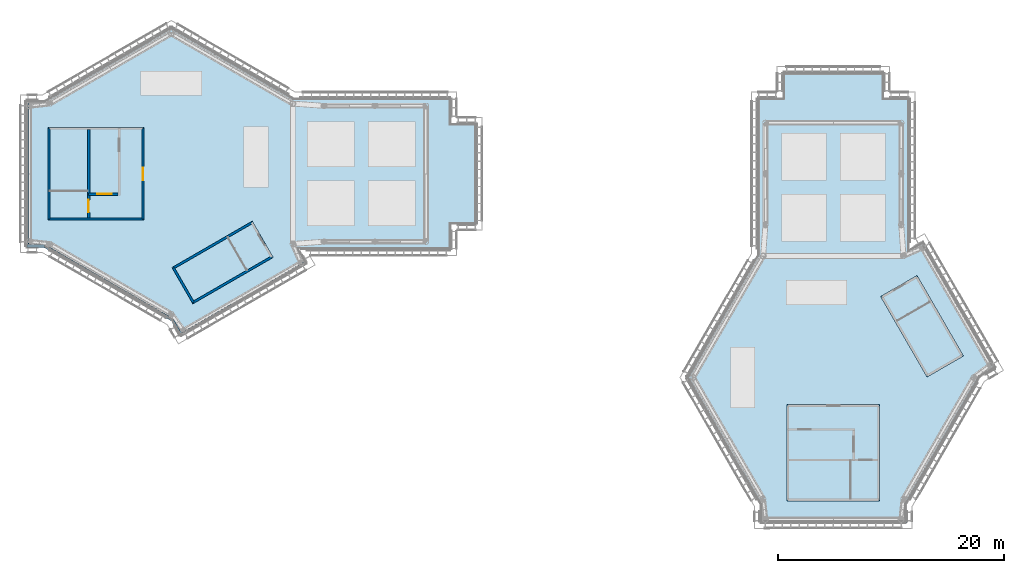
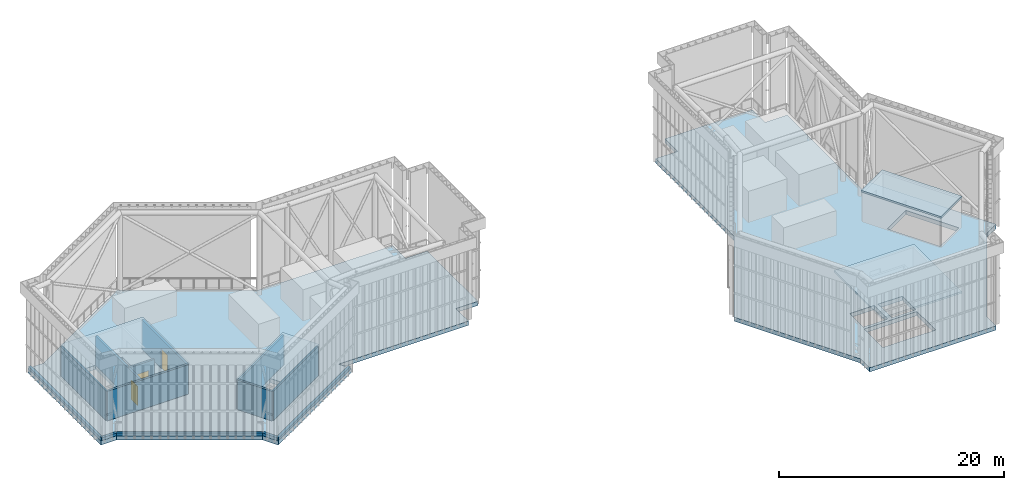
# One storey, part 7 of 17: 13 walls, 6 slabs, 3 doors, 3 openings.
"""IFC4 building model written with IfcOpenShell, lengths in metres."""

from ifc_helpers import new_model, si_unit, direction, frame, frame_2d, origin, place, context, subcontext, project, spatial, polyline, rectangle, outline, extrude, material, layer, layer_set, type_object, element, fill, save


model = new_model("IFC4")

# Units and contexts
model_context = context("Model", 3, precision=1e-05, world=origin(), true_north=direction((0.0, 1.0)))
body_context = subcontext(model_context, "Body", "Model", "MODEL_VIEW")
ifc_project = project(units=[si_unit("LENGTHUNIT", "METRE"), si_unit("AREAUNIT", "SQUARE_METRE"), si_unit("VOLUMEUNIT", "CUBIC_METRE"), si_unit("PLANEANGLEUNIT", "RADIAN"), si_unit("MASSUNIT", "GRAM", prefix="KILO")], contexts=[model_context])

# Site, building, storey
site_placement = place(None, origin())
site = spatial("IfcSite", under=ifc_project, at=site_placement, CompositionType="ELEMENT")
building_placement = place(site_placement, origin())
building = spatial("IfcBuilding", under=site, at=building_placement, Name="Upepo Twin Towers", CompositionType="ELEMENT")
storey_placement = place(building_placement, frame((0.0, 0.0, 296.5)))
storey = spatial("IfcBuildingStorey", under=building, at=storey_placement, Name="RF", CompositionType="ELEMENT", Elevation=296.5)

# Slabs
ifc_material_1 = material(Name="Concrete C40/50", Category="concrete")
ifc_layer_1 = layer(ifc_material_1, 0.199951171875)
ifc_layer_set_1 = layer_set([ifc_layer_1], Name="Concrete C40/50")
slab_type_1 = type_object("IfcSlabType", Name="Head-house roof 200 RC", PredefinedType="ROOF", material=ifc_layer_set_1)
slab_1_placement = place(storey_placement, frame((0.0, 0.0, 3.199951171875)))
element("IfcSlab", 1, at=slab_1_placement, inside=storey, type_object=slab_type_1, Name="T1 core head-house roof", PredefinedType="ROOF", context=body_context, shape_type="SweptSolid", body=[
    extrude(outline(polyline([(-2.39990234375, 4.10009765625), (-10.908447265625, 4.10009765625), (-10.908447265625, -4.10009765625), (-2.39990234375, -4.10009765625), (-2.39990234375, 4.10009765625)])), origin(), (0.0, 0.0, 1.0), 0.199951171875),
])
slab_2_placement = place(storey_placement, frame((0.0, 0.0, 3.199951171875)))
element("IfcSlab", 2, at=slab_2_placement, inside=storey, type_object=slab_type_1, Name="T1 stair S2 head-house roof", PredefinedType="ROOF", context=body_context, shape_type="SweptSolid", body=[
    extrude(outline(polyline([(0.04931640625, -8.285400390625), (1.903564453125, -11.496826171875), (9.0048828125, -7.39697265625), (7.150634765625, -4.185302734375), (0.04931640625, -8.285400390625)])), origin(), (0.0, 0.0, 1.0), 0.199951171875),
])
slab_3_placement = place(storey_placement, frame((0.0, 0.0, 3.199951171875)))
element("IfcSlab", 3, at=slab_3_placement, inside=storey, type_object=slab_type_1, Name="T2 core head-house roof", PredefinedType="ROOF", context=body_context, shape_type="SweptSolid", body=[
    extrude(outline(polyline([(54.39990234375, -20.39990234375), (54.39990234375, -28.908447265625), (62.60009765625, -28.908447265625), (62.60009765625, -20.39990234375), (54.39990234375, -20.39990234375)])), origin(), (0.0, 0.0, 1.0), 0.199951171875),
])
slab_4_placement = place(storey_placement, frame((0.0, 0.0, 3.199951171875)))
element("IfcSlab", 4, at=slab_4_placement, inside=storey, type_object=slab_type_1, Name="T2 stair S2 head-house roof", PredefinedType="ROOF", context=body_context, shape_type="SweptSolid", body=[
    extrude(outline(polyline([(66.785400390625, -17.95068359375), (69.996826171875, -16.096435546875), (65.89697265625, -8.9951171875), (62.685302734375, -10.849365234375), (66.785400390625, -17.95068359375)])), origin(), (0.0, 0.0, 1.0), 0.199951171875),
])
ifc_material_2 = material(Name="Concrete C40/50", Category="concrete")
ifc_layer_2 = layer(ifc_material_2, 0.449951171875)
ifc_layer_set_2 = layer_set([ifc_layer_2], Name="Concrete C40/50")
slab_type_2 = type_object("IfcSlabType", Name="Roof slab 450 RC", PredefinedType="ROOF", material=ifc_layer_set_2)
slab_5_placement = place(storey_placement, frame((0.0, 0.0, -0.449951171875)))
element("IfcSlab", 5, at=slab_5_placement, inside=storey, type_object=slab_type_2, Name="T1 RF roof slab", PredefinedType="ROOF", context=body_context, shape_type="SweptSolid", body=[
    extrude(outline(polyline([(12.058349609375, -7.8857421875), (0.800048828125, -14.3857421875), (0.0, -13.0), (-11.25830078125, -6.5), (-12.8583984375, -6.5), (-12.8583984375, 6.5), (-11.25830078125, 6.5), (0.0, 13.0), (10.825439453125, 6.75), (24.75, 6.75), (24.75, 4.5), (27.0, 4.5), (27.0, -4.5), (24.75, -4.5), (24.75, -6.75), (11.402587890625, -6.75), (12.058349609375, -7.8857421875)]), holes=[polyline([(-7.39990234375, 3.89990234375), (-10.708251953125, 3.89990234375), (-10.708251953125, -1.52001953125), (-7.39990234375, -1.52001953125), (-7.39990234375, 3.89990234375)]), polyline([(0.322509765625, -8.358642578125), (1.9765625, -11.2236328125), (6.67041015625, -8.513671875), (5.016357421875, -5.648681640625), (0.322509765625, -8.358642578125)]), polyline([(-4.699951171875, 3.800048828125), (-7.10009765625, 3.800048828125), (-7.10009765625, 1.300048828125), (-4.699951171875, 1.300048828125), (-4.699951171875, 3.800048828125)]), polyline([(-4.699951171875, 0.89990234375), (-7.10009765625, 0.89990234375), (-7.10009765625, -1.60009765625), (-4.699951171875, -1.60009765625), (-4.699951171875, 0.89990234375)])]), origin(), (0.0, 0.0, 1.0), 0.449951171875),
])
slab_6_placement = place(storey_placement, frame((0.0, 0.0, -0.449951171875)))
element("IfcSlab", 6, at=slab_6_placement, inside=storey, type_object=slab_type_2, Name="T2 RF roof slab", PredefinedType="ROOF", context=body_context, shape_type="SweptSolid", body=[
    extrude(outline(polyline([(66.3857421875, -5.941650390625), (72.8857421875, -17.199951171875), (71.5, -18.0), (65.0, -29.25830078125), (65.0, -30.8583984375), (52.0, -30.8583984375), (52.0, -29.25830078125), (45.5, -18.0), (51.75, -7.174560546875), (51.75, 6.75), (54.0, 6.75), (54.0, 9.0), (63.0, 9.0), (63.0, 6.75), (65.25, 6.75), (65.25, -6.597412109375), (66.3857421875, -5.941650390625)]), holes=[polyline([(54.60009765625, -25.39990234375), (54.60009765625, -28.708251953125), (60.02001953125, -28.708251953125), (60.02001953125, -25.39990234375), (54.60009765625, -25.39990234375)]), polyline([(66.858642578125, -17.677490234375), (69.7236328125, -16.0234375), (67.013671875, -11.32958984375), (64.148681640625, -12.983642578125), (66.858642578125, -17.677490234375)]), polyline([(54.699951171875, -22.699951171875), (54.699951171875, -25.10009765625), (57.199951171875, -25.10009765625), (57.199951171875, -22.699951171875), (54.699951171875, -22.699951171875)]), polyline([(57.60009765625, -22.699951171875), (57.60009765625, -25.10009765625), (60.10009765625, -25.10009765625), (60.10009765625, -22.699951171875), (57.60009765625, -22.699951171875)])]), origin(), (0.0, 0.0, 1.0), 0.449951171875),
])

# Walls
ifc_material_3 = material(Name="Concrete C40/50", Category="concrete")
ifc_layer_3 = layer(ifc_material_3, 0.199951171875)
ifc_layer_set_3 = layer_set([ifc_layer_3], Name="Concrete C40/50")
wall_type_1 = type_object("IfcWallType", Name="Podium stair enclosure 200 RC", PredefinedType="SHEAR", material=ifc_layer_set_3)
wall_1_placement = place(storey_placement, frame((-10.808349609375, 4.0, 0.0), z_axis=(0.0, 0.0, 1.0), x_axis=(0.0, -1.0, 0.0)))
element("IfcWall", 7, at=wall_1_placement, inside=storey, type_object=wall_type_1, Name="T1 core head-house wall 2", PredefinedType="SHEAR", context=body_context, shape_type="SweptSolid", body=[
    extrude(rectangle(XDim=8.0, YDim=0.199951171875, at=frame_2d((4.0, 0.0))), origin(), (0.0, 0.0, 1.0), 3.199951171875),
])
wall_2_placement = place(storey_placement, frame((-10.808349609375, -4.0, 0.0), z_axis=(0.0, 0.0, 1.0), x_axis=(1.0, 0.0, 0.0)))
element("IfcWall", 8, at=wall_2_placement, inside=storey, type_object=wall_type_1, Name="T1 core head-house wall 3", PredefinedType="SHEAR", context=body_context, shape_type="SweptSolid", body=[
    extrude(rectangle(XDim=8.308349609375, YDim=0.199951171875, at=frame_2d((4.154296875, 0.0))), origin(), (0.0, 0.0, 1.0), 3.199951171875),
])

# Wall, opening, door
wall_3_placement = place(storey_placement, frame((-2.5, -4.0, 0.0), z_axis=(0.0, 0.0, 1.0), x_axis=(0.0, 1.0, 0.0)))
wall_3 = element("IfcWall", 9, at=wall_3_placement, inside=storey, type_object=wall_type_1, Name="T1 core head-house wall 4", PredefinedType="SHEAR", context=body_context, shape_type="SweptSolid", body=[
    extrude(rectangle(XDim=8.0, YDim=0.199951171875, at=frame_2d((4.0, 0.0))), origin(), (0.0, 0.0, 1.0), 3.199951171875),
])
opening_1_placement = place(wall_3_placement, frame((3.449951171875, 0.0, 0.0)))
opening_1 = element("IfcOpeningElement", 10, at=opening_1_placement, cuts=wall_3, Name="Opening D3", PredefinedType="OPENING", context=body_context, shape_type="SweptSolid", body=[
    extrude(rectangle(XDim=1.10009765625, YDim=2.10009765625, at=frame_2d((0.550048828125, 1.050048828125))), frame((0.0, 0.10986328125, 0.0), z_axis=(0.0, -1.0, 0.0), x_axis=(1.0, 0.0, 0.0)), (0.0, 0.0, 1.0), 0.219970703125),
])
ifc_material_4 = material(Name="Timber doorset", Category="wood")
door_type_1 = type_object("IfcDoorType", Name="Stair door 1100 FD60", OperationType="SINGLE_SWING_LEFT", PredefinedType="DOOR", material=ifc_material_4)
door_1_placement = place(opening_1_placement, origin())
door_1 = element("IfcDoor", 11, at=door_1_placement, inside=storey, type_object=door_type_1, Name="T1 core head-house roof door", OperationType="SINGLE_SWING_LEFT", OverallHeight=2.10009765625, OverallWidth=1.10009765625, PredefinedType="DOOR", context=body_context, shape_type="SweptSolid", body=[
    extrude(rectangle(XDim=1.10009765625, YDim=2.10009765625, at=frame_2d((0.550048828125, 1.050048828125))), frame((0.0, 0.02490234375, 0.0), z_axis=(0.0, -1.0, 0.0), x_axis=(1.0, 0.0, 0.0)), (0.0, 0.0, 1.0), 0.050048828125),
])
fill(opening_1, door_1)

wall_4_placement = place(storey_placement, frame((-4.699951171875, -1.800048828125, 0.0), z_axis=(0.0, 0.0, 1.0), x_axis=(-1.0, 0.0, 0.0)))
wall_4 = element("IfcWall", 12, at=wall_4_placement, inside=storey, type_object=wall_type_1, Name="T1 roof lift lobby wall", PredefinedType="SHEAR", context=body_context, shape_type="SweptSolid", body=[
    extrude(rectangle(XDim=2.60009765625, YDim=0.199951171875, at=frame_2d((1.300048828125, 0.0))), origin(), (0.0, 0.0, 1.0), 3.199951171875),
])
opening_2_placement = place(wall_4_placement, frame((0.550048828125, 0.0, 0.0)))
opening_2 = element("IfcOpeningElement", 13, at=opening_2_placement, cuts=wall_4, Name="Opening LD2", PredefinedType="OPENING", context=body_context, shape_type="SweptSolid", body=[
    extrude(rectangle(XDim=1.300048828125, YDim=2.199951171875, at=frame_2d((0.64990234375, 1.10009765625))), frame((0.0, 0.10986328125, 0.0), z_axis=(0.0, -1.0, 0.0), x_axis=(1.0, 0.0, 0.0)), (0.0, 0.0, 1.0), 0.219970703125),
])
ifc_material_5 = material(Name="Steel doorset", Category="steel")
door_type_2 = type_object("IfcDoorType", Name="Firefighting lift landing door 1300", OperationType="DOUBLE_DOOR_SLIDING", PredefinedType="DOOR", material=ifc_material_5)
door_2_placement = place(opening_2_placement, origin())
door_2 = element("IfcDoor", 14, at=door_2_placement, inside=storey, type_object=door_type_2, Name="T1 RF firefighting lift landing door", OperationType="DOUBLE_DOOR_SLIDING", OverallHeight=2.199951171875, OverallWidth=1.300048828125, PredefinedType="DOOR", context=body_context, shape_type="SweptSolid", body=[
    extrude(rectangle(XDim=1.300048828125, YDim=2.199951171875, at=frame_2d((0.64990234375, 1.10009765625))), frame((0.0, 0.02490234375, 0.0), z_axis=(0.0, -1.0, 0.0), x_axis=(1.0, 0.0, 0.0)), (0.0, 0.0, 1.0), 0.050048828125),
])
fill(opening_2, door_2)

wall_5_placement = place(storey_placement, frame((-7.300048828125, 3.89990234375, 0.0), z_axis=(0.0, 0.0, 1.0), x_axis=(0.0, -1.0, 0.0)))
wall_5 = element("IfcWall", 15, at=wall_5_placement, inside=storey, type_object=wall_type_1, Name="T1 roof stair wall", PredefinedType="SHEAR", context=body_context, shape_type="SweptSolid", body=[
    extrude(rectangle(XDim=7.7998046875, YDim=0.199951171875, at=frame_2d((3.89990234375, 0.0))), origin(), (0.0, 0.0, 1.0), 3.199951171875),
])
opening_3_placement = place(wall_5_placement, frame((6.199951171875, 0.0, 0.0)))
opening_3 = element("IfcOpeningElement", 16, at=opening_3_placement, cuts=wall_5, Name="Opening D3", PredefinedType="OPENING", context=body_context, shape_type="SweptSolid", body=[
    extrude(rectangle(XDim=1.10009765625, YDim=2.10009765625, at=frame_2d((0.550048828125, 1.050048828125))), frame((0.0, 0.10986328125, 0.0), z_axis=(0.0, -1.0, 0.0), x_axis=(1.0, 0.0, 0.0)), (0.0, 0.0, 1.0), 0.219970703125),
])
door_3_placement = place(opening_3_placement, origin())
door_3 = element("IfcDoor", 17, at=door_3_placement, inside=storey, type_object=door_type_1, Name="T1 RF stair S1 door", OperationType="SINGLE_SWING_RIGHT", OverallHeight=2.10009765625, OverallWidth=1.10009765625, PredefinedType="DOOR", context=body_context, shape_type="SweptSolid", body=[
    extrude(rectangle(XDim=1.10009765625, YDim=2.10009765625, at=frame_2d((0.550048828125, 1.050048828125))), frame((0.0, 0.02490234375, 0.0), z_axis=(0.0, -1.0, 0.0), x_axis=(1.0, 0.0, 0.0)), (0.0, 0.0, 1.0), 0.050048828125),
])
fill(opening_3, door_3)

# Walls
wall_6_placement = place(storey_placement, frame((0.185791015625, -8.322021484375, 0.0), z_axis=(0.0, 0.0, 1.0), x_axis=(0.500045712149, -0.865999010255, 0.0)))
element("IfcWall", 18, at=wall_6_placement, inside=storey, type_object=wall_type_1, Name="T1 stair S2 head-house wall 1", PredefinedType="SHEAR", context=body_context, shape_type="SweptSolid", body=[
    extrude(rectangle(XDim=3.508544921875, YDim=0.199951171875, at=frame_2d((1.75439453125, 0.0))), origin(), (0.0, 0.0, 1.0), 3.199951171875),
])
wall_7_placement = place(storey_placement, frame((1.940185546875, -11.3603515625, 0.0), z_axis=(0.0, 0.0, 1.0), x_axis=(0.866018381195, 0.500012163284, 0.0)))
element("IfcWall", 19, at=wall_7_placement, inside=storey, type_object=wall_type_1, Name="T1 stair S2 head-house wall 2", PredefinedType="SHEAR", context=body_context, shape_type="SweptSolid", body=[
    extrude(rectangle(XDim=7.999755859375, YDim=0.199951171875, at=frame_2d((4.0, 0.0))), origin(), (0.0, 0.0, 1.0), 3.199951171875),
])
wall_8_placement = place(storey_placement, frame((7.114013671875, -4.322021484375, 0.0), z_axis=(0.0, 0.0, 1.0), x_axis=(-0.866026010844, -0.49999894854, 0.0)))
element("IfcWall", 20, at=wall_8_placement, inside=storey, type_object=wall_type_1, Name="T1 stair S2 head-house wall 4", PredefinedType="SHEAR", context=body_context, shape_type="SweptSolid", body=[
    extrude(rectangle(XDim=8.0, YDim=0.199951171875, at=frame_2d((4.0, 0.0))), origin(), (0.0, 0.0, 1.0), 3.199951171875),
])
ifc_material_6 = material(Name="Concrete C40/50", Category="concrete")
ifc_layer_4 = layer(ifc_material_6, 0.25)
ifc_layer_set_4 = layer_set([ifc_layer_4], Name="Concrete C40/50")
wall_type_2 = type_object("IfcWallType", Name="Roof parapet 250 RC", PredefinedType="PARAPET", material=ifc_layer_set_4)
wall_9_placement = place(storey_placement, frame((11.8876953125, -7.83984375, 0.0), z_axis=(0.0, 0.0, 1.0), x_axis=(-0.866028703517, -0.499994284652, 0.0)))
element("IfcWall", 21, at=wall_9_placement, inside=storey, type_object=wall_type_2, Name="T1 roof parapet 1", PredefinedType="PARAPET", context=body_context, shape_type="SweptSolid", body=[
    extrude(rectangle(XDim=12.750244140625, YDim=0.25, at=frame_2d((6.375, 0.0))), origin(), (0.0, 0.0, 1.0), 0.300048828125),
])
wall_10_placement = place(storey_placement, frame((0.845703125, -14.21484375, 0.0), z_axis=(0.0, 0.0, 1.0), x_axis=(-0.499951287894, 0.866053525905, 0.0)))
element("IfcWall", 22, at=wall_10_placement, inside=storey, type_object=wall_type_2, Name="T1 roof parapet 2", PredefinedType="PARAPET", context=body_context, shape_type="SweptSolid", body=[
    extrude(rectangle(XDim=1.508544921875, YDim=0.25, at=frame_2d((0.75439453125, 0.0))), origin(), (0.0, 0.0, 1.0), 0.300048828125),
])
wall_11_placement = place(storey_placement, frame((0.091552734375, -12.908447265625, 0.0), z_axis=(0.0, 0.0, 1.0), x_axis=(-0.866028151861, 0.499995240161, 0.0)))
element("IfcWall", 23, at=wall_11_placement, inside=storey, type_object=wall_type_2, Name="T1 roof parapet 3", PredefinedType="PARAPET", context=body_context, shape_type="SweptSolid", body=[
    extrude(rectangle(XDim=13.067138671875, YDim=0.25, at=frame_2d((6.53369140625, 0.0))), origin(), (0.0, 0.0, 1.0), 0.300048828125),
])
wall_12_placement = place(storey_placement, frame((-11.224853515625, -6.375, 0.0), z_axis=(0.0, 0.0, 1.0), x_axis=(-1.0, 0.0, 0.0)))
element("IfcWall", 24, at=wall_12_placement, inside=storey, type_object=wall_type_2, Name="T1 roof parapet 4", PredefinedType="PARAPET", context=body_context, shape_type="SweptSolid", body=[
    extrude(rectangle(XDim=1.508544921875, YDim=0.25, at=frame_2d((0.75439453125, 0.0))), origin(), (0.0, 0.0, 1.0), 0.300048828125),
])
wall_13_placement = place(storey_placement, frame((-12.7333984375, -6.375, 0.0), z_axis=(0.0, 0.0, 1.0), x_axis=(0.0, 1.0, 0.0)))
element("IfcWall", 25, at=wall_13_placement, inside=storey, type_object=wall_type_2, Name="T1 roof parapet 5", PredefinedType="PARAPET", context=body_context, shape_type="SweptSolid", body=[
    extrude(rectangle(XDim=12.75, YDim=0.25, at=frame_2d((6.375, 0.0))), origin(), (0.0, 0.0, 1.0), 0.300048828125),
])

save(model, "model.ifc")
